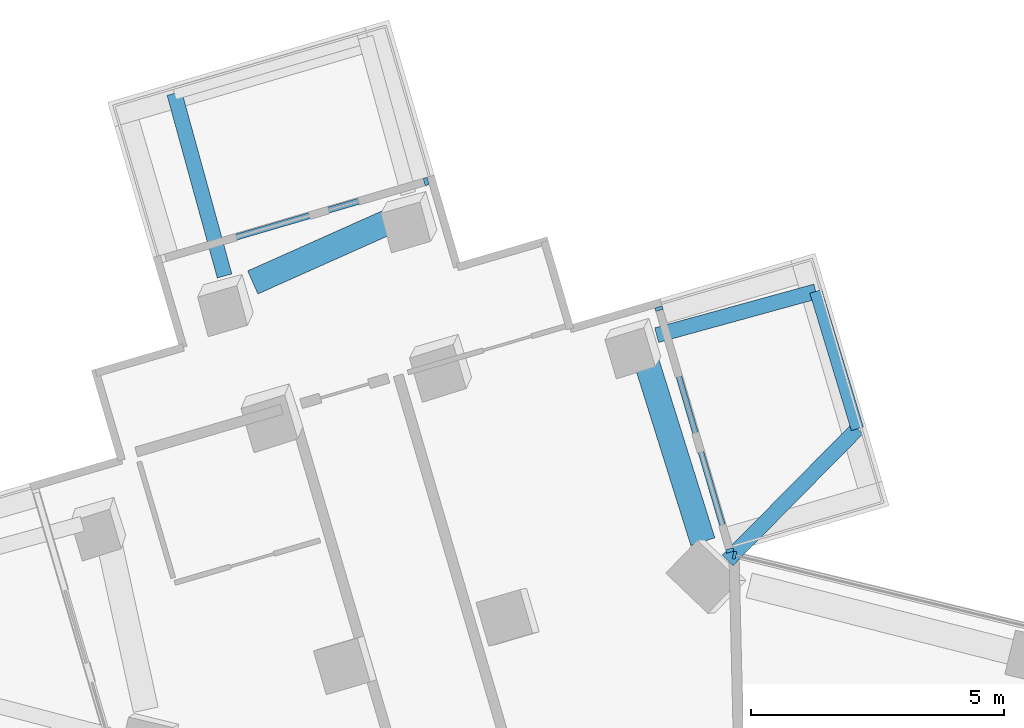
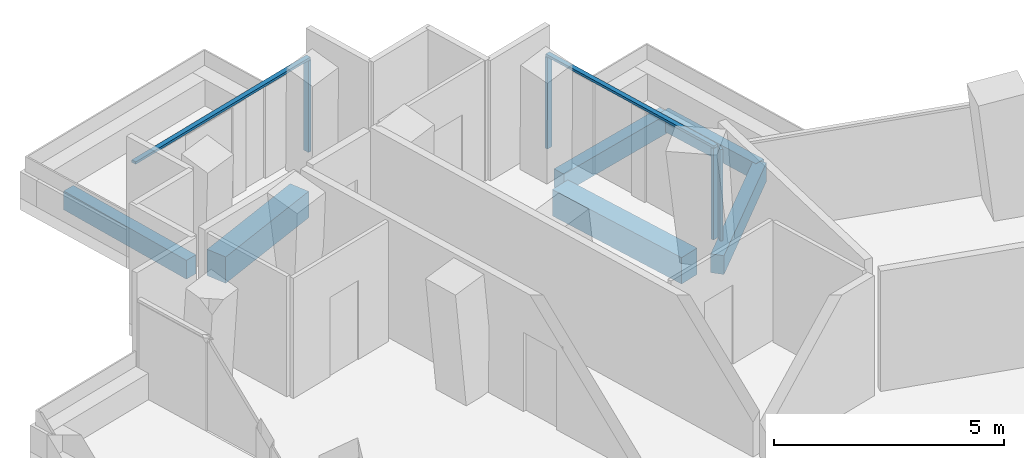
# One storey, part 8 of 25: 6 beams, 6 members, 3 elements without a shape of their own.
"""IFC4 building model written with IfcOpenShell, lengths in metres."""

from ifc_helpers import new_model, si_unit, direction, frame, origin, origin_2d, place, context, subcontext, project, spatial, rectangle, extrude, material, layer, layer_set, material_profile, profile_set, type_object, element, aggregate, save


model = new_model("IFC4")

# Units and contexts
model_context = context("Model", 3, precision=1e-05, world=origin(), true_north=direction((0.0, 1.0)))
body_context = subcontext(model_context, "Body", "Model", "MODEL_VIEW")
ifc_project = project(units=[si_unit("LENGTHUNIT", "METRE"), si_unit("AREAUNIT", "SQUARE_METRE"), si_unit("VOLUMEUNIT", "CUBIC_METRE"), si_unit("PLANEANGLEUNIT", "RADIAN"), si_unit("MASSUNIT", "GRAM", prefix="KILO")], contexts=[model_context])

# Site, building, storey
site_placement = place(None, origin())
site = spatial("IfcSite", under=ifc_project, at=site_placement, CompositionType="ELEMENT")
building_placement = place(site_placement, origin())
building = spatial("IfcBuilding", under=site, at=building_placement, Name="Verdalira Terraces Hotel", CompositionType="ELEMENT")
storey_placement = place(building_placement, frame((0.0, 0.0, 100.0)))
storey = spatial("IfcBuildingStorey", under=building, at=storey_placement, Name="L23", CompositionType="ELEMENT", Elevation=100.0)

# Beams
ifc_material_1 = material(Name="Concrete C40", Category="concrete")
ifc_material_profile_1 = material_profile(ifc_material_1, rectangle(XDim=0.300049, YDim=0.5, at=origin_2d()), Name="RC 300X500")
ifc_profile_set_1 = profile_set([ifc_material_profile_1], Name="Concrete C40")
beam_type_1 = type_object("IfcBeamType", Name="Balcony cantilever beam RC 300X500 C40", PredefinedType="BEAM", material=ifc_profile_set_1)
beam_1_placement = place(storey_placement, frame((-0.704346, 24.927734, -0.560059), z_axis=(0.702652011, 0.711533661, 0.0), x_axis=(-0.711533661, 0.702652011, 0.0)))
element("IfcBeam", 1, at=beam_1_placement, inside=storey, type_object=beam_type_1, Name="Balcony cantilever beam R00-1", PredefinedType="BEAM", context=body_context, shape_type="SweptSolid", body=[
    extrude(rectangle(XDim=0.300049, YDim=0.5, at=origin_2d()), origin(), (0.0, 0.0, 1.0), 3.656006),
])
beam_2_placement = place(storey_placement, frame((-2.10791, 29.38208, -0.560059), z_axis=(0.964274139, 0.264906372, 0.0), x_axis=(-0.264906372, 0.964274139, 0.0)))
element("IfcBeam", 2, at=beam_2_placement, inside=storey, type_object=beam_type_1, Name="Balcony cantilever beam R00-2", PredefinedType="BEAM", context=body_context, shape_type="SweptSolid", body=[
    extrude(rectangle(XDim=0.300049, YDim=0.5, at=origin_2d()), origin(), (0.0, 0.0, 1.0), 3.26709),
])
beam_3_placement = place(storey_placement, frame((-10.6604, 30.553955, -0.560059), z_axis=(-0.26487492, 0.964282779, 0.0), x_axis=(-0.964282779, -0.26487492, 0.0)))
element("IfcBeam", 3, at=beam_3_placement, inside=storey, type_object=beam_type_1, Name="Balcony cantilever beam R05-2", PredefinedType="BEAM", context=body_context, shape_type="SweptSolid", body=[
    extrude(rectangle(XDim=0.300049, YDim=0.5, at=origin_2d()), origin(), (0.0, 0.0, 1.0), 3.748535),
])
ifc_material_2 = material(Name="Concrete C40", Category="concrete")
ifc_material_profile_2 = material_profile(ifc_material_2, rectangle(XDim=0.25, YDim=0.449951, at=origin_2d()), Name="RC 250X450")
ifc_profile_set_2 = profile_set([ifc_material_profile_2], Name="Concrete C40")
beam_type_2 = type_object("IfcBeamType", Name="Balcony edge beam RC 250X450 C40", PredefinedType="BEAM", material=ifc_profile_set_2)
beam_4_placement = place(storey_placement, frame((1.864502, 27.529053, -0.534912), z_axis=(-0.289437126, 0.957197028, 0.0), x_axis=(-0.957197028, -0.289437126, 0.0)))
element("IfcBeam", 4, at=beam_4_placement, inside=storey, type_object=beam_type_2, Name="Balcony edge beam R00-1", PredefinedType="BEAM", context=body_context, shape_type="SweptSolid", body=[
    extrude(rectangle(XDim=0.25, YDim=0.449951, at=origin_2d()), origin(), (0.0, 0.0, 1.0), 2.840088),
])

# Curtain wall, member
ifc_material_3 = material(Name="Clear glass", Category="glass")
ifc_layer_1 = layer(ifc_material_3, 0.14990234375)
ifc_layer_set_1 = layer_set([ifc_layer_1], Name="CW1 curtain wall")
curtain_wall_type_1 = type_object("IfcCurtainWallType", Name="CW1 curtain wall", PredefinedType="NOTDEFINED", material=ifc_layer_set_1)
curtain_wall_1_placement = place(storey_placement, origin())
curtain_wall_1 = element("IfcCurtainWall", 5, at=curtain_wall_1_placement, inside=storey, type_object=curtain_wall_type_1, Name="CW1 curtain wall L23 edge 41", PredefinedType="NOTDEFINED")
ifc_material_4 = material(Name="Terracotta frame", Category="masonry")
ifc_material_profile_3 = material_profile(ifc_material_4, rectangle(XDim=0.060059, YDim=0.149902, at=origin_2d()), Name="MU 60x150")
ifc_profile_set_3 = profile_set([ifc_material_profile_3], Name="Terracotta frame")
member_type_1 = type_object("IfcMemberType", Name="CW1 mullion 60x150", PredefinedType="MULLION", material=ifc_profile_set_3)
member_1_placement = place(storey_placement, frame((-0.567139, 25.027344, 0.0), z_axis=(0.0, 0.0, 1.0), x_axis=(-0.971631733, 0.236498997, 0.0)))
member_1 = element("IfcMember", 6, at=member_1_placement, type_object=member_type_1, Name="CW1 mullion", PredefinedType="MULLION", context=body_context, shape_type="SweptSolid", body=[
    extrude(rectangle(XDim=0.060059, YDim=0.149902, at=origin_2d()), origin(), (0.0, 0.0, 1.0), 2.425049),
])
aggregate(curtain_wall_1, [member_1])

# Curtain wall, members
ifc_material_5 = material(Name="Clear glass", Category="glass")
ifc_layer_2 = layer(ifc_material_5, 0.14990234375)
ifc_layer_set_2 = layer_set([ifc_layer_2], Name="CW2 curtain wall")
curtain_wall_type_2 = type_object("IfcCurtainWallType", Name="CW2 curtain wall", PredefinedType="NOTDEFINED", material=ifc_layer_set_2)
curtain_wall_2_placement = place(storey_placement, origin())
curtain_wall_2 = element("IfcCurtainWall", 7, at=curtain_wall_2_placement, inside=storey, type_object=curtain_wall_type_2, Name="CW2 curtain wall L23 edge 0", PredefinedType="NOTDEFINED")
ifc_material_6 = material(Name="Terracotta frame", Category="masonry")
ifc_material_profile_4 = material_profile(ifc_material_6, rectangle(XDim=0.070068, YDim=0.149902, at=origin_2d()), Name="MU 70x150")
ifc_profile_set_4 = profile_set([ifc_material_profile_4], Name="Terracotta frame")
member_type_2 = type_object("IfcMemberType", Name="CW2 mullion 70x150", PredefinedType="MULLION", material=ifc_profile_set_4)
member_2_placement = place(storey_placement, frame((-0.6604, 25.119873, 0.0), z_axis=(0.0, 0.0, 1.0), x_axis=(-0.281001727, 0.959707262, 0.0)))
member_2 = element("IfcMember", 8, at=member_2_placement, type_object=member_type_2, Name="CW2 mullion", PredefinedType="MULLION", context=body_context, shape_type="SweptSolid", body=[
    extrude(rectangle(XDim=0.070068, YDim=0.149902, at=origin_2d()), origin(), (0.0, 0.0, 1.0), 2.425049),
])
member_3_placement = place(storey_placement, frame((-2.062012, 29.907227, 0.0), z_axis=(0.0, 0.0, 1.0), x_axis=(-0.281001727, 0.959707262, 0.0)))
member_3 = element("IfcMember", 9, at=member_3_placement, type_object=member_type_2, Name="CW2 mullion", PredefinedType="MULLION", context=body_context, shape_type="SweptSolid", body=[
    extrude(rectangle(XDim=0.070068, YDim=0.149902, at=origin_2d()), origin(), (0.0, 0.0, 1.0), 2.425049),
])
ifc_material_7 = material(Name="Terracotta frame", Category="masonry")
ifc_material_profile_5 = material_profile(ifc_material_7, rectangle(XDim=0.11499, YDim=0.064941, at=origin_2d()), Name="TR 65x115")
ifc_profile_set_5 = profile_set([ifc_material_profile_5], Name="Terracotta frame")
member_type_3 = type_object("IfcMemberType", Name="CW2 transom 65x115", PredefinedType="USERDEFINED", material=ifc_profile_set_5)
member_4_placement = place(storey_placement, frame((-0.650635, 25.086426, 2.45752), z_axis=(-0.280969237, 0.959716775, 0.0), x_axis=(-0.959716775, -0.280969237, 0.0)))
member_4 = element("IfcMember", 10, at=member_4_placement, type_object=member_type_3, Name="CW2 transom", ObjectType="TRANSOM", PredefinedType="USERDEFINED", context=body_context, shape_type="SweptSolid", body=[
    extrude(rectangle(XDim=0.11499, YDim=0.064941, at=origin_2d()), origin(), (0.0, 0.0, 1.0), 5.058105),
])
aggregate(curtain_wall_2, [member_2, member_3, member_4])

ifc_material_8 = material(Name="Clear glass", Category="glass")
ifc_layer_3 = layer(ifc_material_8, 0.14990234375)
ifc_layer_set_3 = layer_set([ifc_layer_3], Name="CW3 curtain wall")
curtain_wall_type_3 = type_object("IfcCurtainWallType", Name="CW3 curtain wall", PredefinedType="NOTDEFINED", material=ifc_layer_set_3)
curtain_wall_3_placement = place(storey_placement, origin())
curtain_wall_3 = element("IfcCurtainWall", 11, at=curtain_wall_3_placement, inside=storey, type_object=curtain_wall_type_3, Name="CW3 curtain wall L23 edge 5", PredefinedType="NOTDEFINED")
ifc_material_9 = material(Name="Terracotta frame", Category="masonry")
ifc_material_profile_6 = material_profile(ifc_material_9, rectangle(XDim=0.080078, YDim=0.149902, at=origin_2d()), Name="MU 80x150")
ifc_profile_set_6 = profile_set([ifc_material_profile_6], Name="Terracotta frame")
member_type_4 = type_object("IfcMemberType", Name="CW3 mullion 80x150", PredefinedType="MULLION", material=ifc_profile_set_6)
member_5_placement = place(storey_placement, frame((-6.669922, 32.423828, 0.0), z_axis=(0.0, 0.0, 1.0), x_axis=(-0.959707262, -0.281001727, 0.0)))
member_5 = element("IfcMember", 12, at=member_5_placement, type_object=member_type_4, Name="CW3 mullion", PredefinedType="MULLION", context=body_context, shape_type="SweptSolid", body=[
    extrude(rectangle(XDim=0.080078, YDim=0.149902, at=origin_2d()), origin(), (0.0, 0.0, 1.0), 2.425049),
])
ifc_material_10 = material(Name="Terracotta frame", Category="masonry")
ifc_material_profile_7 = material_profile(ifc_material_10, rectangle(XDim=0.120117, YDim=0.064941, at=origin_2d()), Name="TR 65x120")
ifc_profile_set_7 = profile_set([ifc_material_profile_7], Name="Terracotta frame")
member_type_5 = type_object("IfcMemberType", Name="CW3 transom 65x120", PredefinedType="USERDEFINED", material=ifc_profile_set_7)
member_6_placement = place(storey_placement, frame((-6.631592, 32.435059, 2.45752), z_axis=(-0.959699162, -0.281029389, 0.0), x_axis=(0.281029389, -0.959699162, 0.0)))
member_6 = element("IfcMember", 13, at=member_6_placement, type_object=member_type_5, Name="CW3 transom", ObjectType="TRANSOM", PredefinedType="USERDEFINED", context=body_context, shape_type="SweptSolid", body=[
    extrude(rectangle(XDim=0.120117, YDim=0.064941, at=origin_2d()), origin(), (0.0, 0.0, 1.0), 5.5),
])
aggregate(curtain_wall_3, [member_5, member_6])

# Beams
ifc_material_11 = material(Name="Concrete C70", Category="concrete")
ifc_material_profile_8 = material_profile(ifc_material_11, rectangle(XDim=0.5, YDim=0.699951, at=origin_2d()), Name="RC 500X700")
ifc_profile_set_8 = profile_set([ifc_material_profile_8], Name="Concrete C70")
beam_type_3 = type_object("IfcBeamType", Name="Spandrel beam RC 500X700 C70", PredefinedType="SPANDREL", material=ifc_profile_set_8)
beam_5_placement = place(storey_placement, frame((-1.194092, 25.294922, -0.659912), z_axis=(-0.298991996, 0.954255619, 0.0), x_axis=(-0.954255619, -0.298991996, 0.0)))
element("IfcBeam", 14, at=beam_5_placement, inside=storey, type_object=beam_type_3, Name="Spandrel beam B01", PredefinedType="SPANDREL", context=body_context, shape_type="SweptSolid", body=[
    extrude(rectangle(XDim=0.5, YDim=0.699951, at=origin_2d()), origin(), (0.0, 0.0, 1.0), 3.819092),
])
beam_6_placement = place(storey_placement, frame((-7.293701, 31.679932, -0.659912), z_axis=(-0.913070339, -0.407802104, 0.0), x_axis=(0.407802104, -0.913070339, 0.0)))
element("IfcBeam", 15, at=beam_6_placement, inside=storey, type_object=beam_type_3, Name="Spandrel beam B02", PredefinedType="SPANDREL", context=body_context, shape_type="SweptSolid", body=[
    extrude(rectangle(XDim=0.5, YDim=0.699951, at=origin_2d()), origin(), (0.0, 0.0, 1.0), 3.075928),
])

save(model, "model.ifc")
